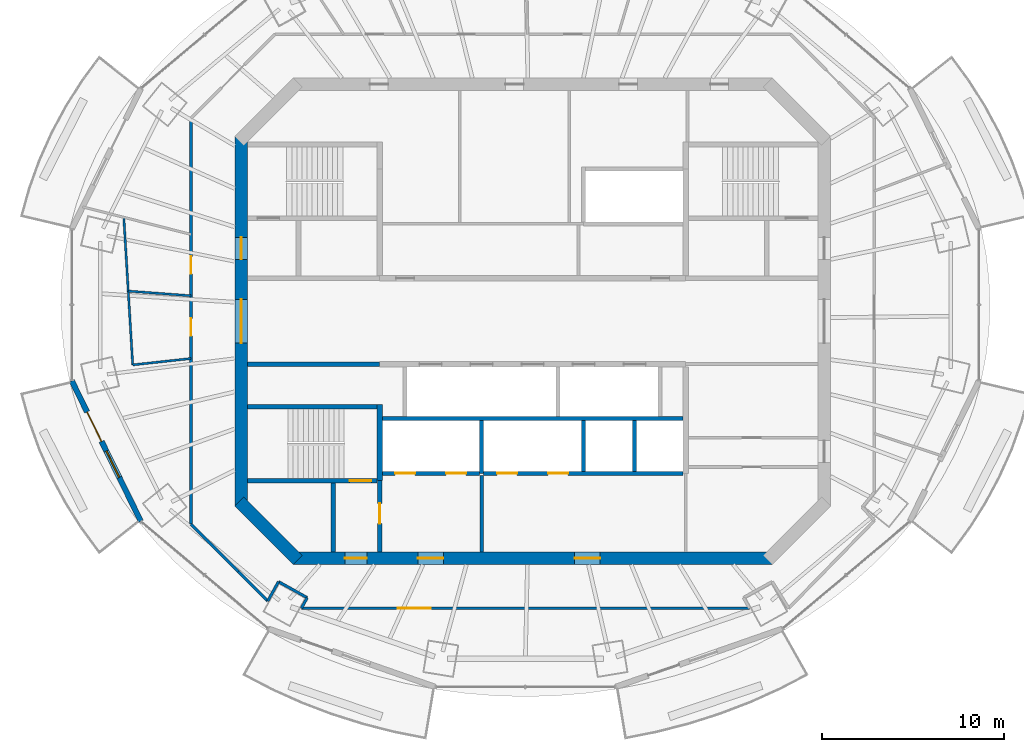
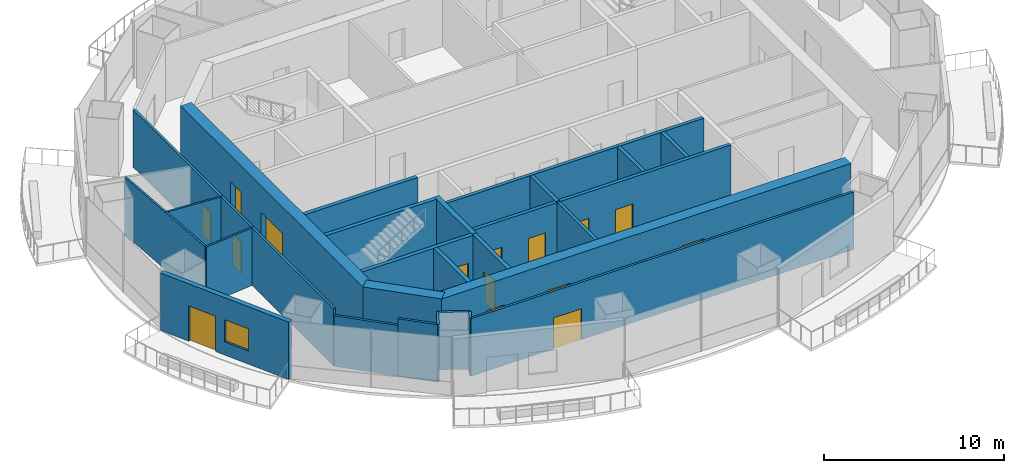
# One storey, part 8 of 14: 27 walls, 15 doors, 1 window, 16 openings.
"""IFC4 building model written with IfcOpenShell, lengths in metres."""

from ifc_helpers import new_model, si_unit, direction, frame, frame_2d, origin, place, context, subcontext, project, spatial, rectangle, extrude, material, layer, layer_set, type_object, element, fill, save


model = new_model("IFC4")

# Units and contexts
model_context = context("Model", 3, precision=1e-05, world=origin(), true_north=direction((0.0, 1.0)))
body_context = subcontext(model_context, "Body", "Model", "MODEL_VIEW")
ifc_project = project(units=[si_unit("LENGTHUNIT", "METRE"), si_unit("AREAUNIT", "SQUARE_METRE"), si_unit("VOLUMEUNIT", "CUBIC_METRE"), si_unit("PLANEANGLEUNIT", "RADIAN"), si_unit("MASSUNIT", "GRAM", prefix="KILO")], contexts=[model_context])

# Site, building, storey
site_placement = place(None, origin())
site = spatial("IfcSite", under=ifc_project, at=site_placement, CompositionType="ELEMENT")
building_placement = place(site_placement, origin())
building = spatial("IfcBuilding", under=site, at=building_placement, Name="Marenthal Gate Tower", CompositionType="ELEMENT")
storey_placement = place(building_placement, frame((0.0, 0.0, 392.39990234375)))
storey = spatial("IfcBuildingStorey", under=building, at=storey_placement, Name="L89", CompositionType="ELEMENT", Elevation=392.39990234375)

# Wall, openings, doors
ifc_material_1 = material(Name="Concrete 60 MPa", Category="concrete")
ifc_layer_1 = layer(ifc_material_1, 0.699951171875)
ifc_layer_set_1 = layer_set([ifc_layer_1], Name="Core shear wall 700")
wall_type_1 = type_object("IfcWallType", Name="Core shear wall 700", PredefinedType="SHEAR", material=ifc_layer_set_1)
wall_1_placement = place(storey_placement, frame((-16.0, 10.14501953125, -0.179931640625), z_axis=(0.0, 0.0, 1.0), x_axis=(0.0, -1.0, 0.0)))
wall_1 = element("IfcWall", 1, at=wall_1_placement, inside=storey, type_object=wall_type_1, Name="Core wall 06", PredefinedType="SHEAR", context=body_context, shape_type="SweptSolid", body=[
    extrude(rectangle(XDim=20.2900390625, YDim=0.699951171875, at=frame_2d((10.14501953125, 0.0))), origin(), (0.0, 0.0, 1.0), 4.080078125),
])
opening_1_placement = place(wall_1_placement, frame((8.945068359375, 0.0, 0.179931640625)))
opening_1 = element("IfcOpeningElement", 2, at=opening_1_placement, cuts=wall_1, Name="Opening D003.01", PredefinedType="OPENING", context=body_context, shape_type="SweptSolid", body=[
    extrude(rectangle(XDim=2.39990234375, YDim=2.10009765625, at=frame_2d((1.199951171875, 1.050048828125))), frame((0.0, 0.35986328125, 0.0), z_axis=(0.0, -1.0, 0.0), x_axis=(1.0, 0.0, 0.0)), (0.0, 0.0, 1.0), 0.719970703125),
])
opening_2_placement = place(wall_1_placement, frame((5.544921875, 0.0, 0.179931640625)))
opening_2 = element("IfcOpeningElement", 3, at=opening_2_placement, cuts=wall_1, Name="Opening D001.04", PredefinedType="OPENING", context=body_context, shape_type="SweptSolid", body=[
    extrude(rectangle(XDim=1.199951171875, YDim=2.10009765625, at=frame_2d((0.60009765625, 1.050048828125))), frame((0.0, 0.35986328125, 0.0), z_axis=(0.0, -1.0, 0.0), x_axis=(1.0, 0.0, 0.0)), (0.0, 0.0, 1.0), 0.719970703125),
])
ifc_material_2 = material(Name="Steel fire door", Category="steel")
door_type_1 = type_object("IfcDoorType", Name="Double fire door FD 45 2400 x 2100", OperationType="DOUBLE_DOOR_SINGLE_SWING", PredefinedType="DOOR", material=ifc_material_2)
door_1_placement = place(opening_1_placement, origin())
door_1 = element("IfcDoor", 4, at=door_1_placement, inside=storey, type_object=door_type_1, Name="Door D003.01", OperationType="DOUBLE_DOOR_SINGLE_SWING", OverallHeight=2.10009765625, OverallWidth=2.39990234375, PredefinedType="DOOR", context=body_context, shape_type="SweptSolid", body=[
    extrude(rectangle(XDim=2.39990234375, YDim=2.10009765625, at=frame_2d((1.199951171875, 1.050048828125))), frame((0.0, 0.02490234375, 0.0), z_axis=(0.0, -1.0, 0.0), x_axis=(1.0, 0.0, 0.0)), (0.0, 0.0, 1.0), 0.050048828125),
])
fill(opening_1, door_1)
ifc_material_3 = material(Name="Steel fire door", Category="steel")
door_type_2 = type_object("IfcDoorType", Name="Fire door FD 90 1200 x 2100", OperationType="NOTDEFINED", PredefinedType="DOOR", material=ifc_material_3)
door_2_placement = place(opening_2_placement, origin())
door_2 = element("IfcDoor", 5, at=door_2_placement, inside=storey, type_object=door_type_2, Name="Door D001.04", OperationType="SINGLE_SWING_RIGHT", OverallHeight=2.10009765625, OverallWidth=1.199951171875, PredefinedType="DOOR", context=body_context, shape_type="SweptSolid", body=[
    extrude(rectangle(XDim=1.199951171875, YDim=2.10009765625, at=frame_2d((0.60009765625, 1.050048828125))), frame((0.0, 0.02490234375, 0.0), z_axis=(0.0, -1.0, 0.0), x_axis=(1.0, 0.0, 0.0)), (0.0, 0.0, 1.0), 0.050048828125),
])
fill(opening_2, door_2)

# Wall
wall_2_placement = place(storey_placement, frame((-16.1025390625, -9.8974609375, -0.179931640625), z_axis=(0.0, 0.0, 1.0), x_axis=(0.707106781187, -0.707106781187, 0.0)))
element("IfcWall", 6, at=wall_2_placement, inside=storey, type_object=wall_type_1, Name="Core wall 07", PredefinedType="SHEAR", context=body_context, shape_type="SweptSolid", body=[
    extrude(rectangle(XDim=4.53271484375, YDim=0.699951171875, at=frame_2d((2.266357421875, 0.0))), origin(), (0.0, 0.0, 1.0), 4.080078125),
])

# Wall, openings, doors
wall_3_placement = place(storey_placement, frame((-13.14501953125, -13.0, -0.179931640625), z_axis=(0.0, 0.0, 1.0), x_axis=(1.0, 0.0, 0.0)))
wall_3 = element("IfcWall", 7, at=wall_3_placement, inside=storey, type_object=wall_type_1, Name="Core wall 08", PredefinedType="SHEAR", context=body_context, shape_type="SweptSolid", body=[
    extrude(rectangle(XDim=26.2900390625, YDim=0.699951171875, at=frame_2d((13.14501953125, 0.0))), origin(), (0.0, 0.0, 1.0), 4.080078125),
])
opening_3_placement = place(wall_3_placement, frame((2.844970703125, 0.0, 0.179931640625)))
opening_3 = element("IfcOpeningElement", 8, at=opening_3_placement, cuts=wall_3, Name="Opening D001.06", PredefinedType="OPENING", context=body_context, shape_type="SweptSolid", body=[
    extrude(rectangle(XDim=1.199951171875, YDim=2.10009765625, at=frame_2d((0.60009765625, 1.050048828125))), frame((0.0, 0.35986328125, 0.0), z_axis=(0.0, -1.0, 0.0), x_axis=(1.0, 0.0, 0.0)), (0.0, 0.0, 1.0), 0.719970703125),
])
opening_4_placement = place(wall_3_placement, frame((6.844970703125, 0.0, 0.179931640625)))
opening_4 = element("IfcOpeningElement", 9, at=opening_4_placement, cuts=wall_3, Name="Opening D004.01", PredefinedType="OPENING", context=body_context, shape_type="SweptSolid", body=[
    extrude(rectangle(XDim=1.39990234375, YDim=2.10009765625, at=frame_2d((0.699951171875, 1.050048828125))), frame((0.0, 0.35986328125, 0.0), z_axis=(0.0, -1.0, 0.0), x_axis=(1.0, 0.0, 0.0)), (0.0, 0.0, 1.0), 0.719970703125),
])
opening_5_placement = place(wall_3_placement, frame((15.445068359375, 0.0, 0.179931640625)))
opening_5 = element("IfcOpeningElement", 10, at=opening_5_placement, cuts=wall_3, Name="Opening D004.02", PredefinedType="OPENING", context=body_context, shape_type="SweptSolid", body=[
    extrude(rectangle(XDim=1.39990234375, YDim=2.10009765625, at=frame_2d((0.699951171875, 1.050048828125))), frame((0.0, 0.35986328125, 0.0), z_axis=(0.0, -1.0, 0.0), x_axis=(1.0, 0.0, 0.0)), (0.0, 0.0, 1.0), 0.719970703125),
])
ifc_material_4 = material(Name="Steel fire door", Category="steel")
door_type_3 = type_object("IfcDoorType", Name="Fire door FD 45 1400 x 2100", OperationType="NOTDEFINED", PredefinedType="DOOR", material=ifc_material_4)
door_3_placement = place(opening_4_placement, origin())
door_3 = element("IfcDoor", 11, at=door_3_placement, inside=storey, type_object=door_type_3, Name="Door D004.01", OperationType="SINGLE_SWING_RIGHT", OverallHeight=2.10009765625, OverallWidth=1.39990234375, PredefinedType="DOOR", context=body_context, shape_type="SweptSolid", body=[
    extrude(rectangle(XDim=1.39990234375, YDim=2.10009765625, at=frame_2d((0.699951171875, 1.050048828125))), frame((0.0, 0.02490234375, 0.0), z_axis=(0.0, -1.0, 0.0), x_axis=(1.0, 0.0, 0.0)), (0.0, 0.0, 1.0), 0.050048828125),
])
fill(opening_4, door_3)
door_4_placement = place(opening_5_placement, origin())
door_4 = element("IfcDoor", 12, at=door_4_placement, inside=storey, type_object=door_type_3, Name="Door D004.02", OperationType="SINGLE_SWING_RIGHT", OverallHeight=2.10009765625, OverallWidth=1.39990234375, PredefinedType="DOOR", context=body_context, shape_type="SweptSolid", body=[
    extrude(rectangle(XDim=1.39990234375, YDim=2.10009765625, at=frame_2d((0.699951171875, 1.050048828125))), frame((0.0, 0.02490234375, 0.0), z_axis=(0.0, -1.0, 0.0), x_axis=(1.0, 0.0, 0.0)), (0.0, 0.0, 1.0), 0.050048828125),
])
fill(opening_5, door_4)
door_5_placement = place(opening_3_placement, origin())
door_5 = element("IfcDoor", 13, at=door_5_placement, inside=storey, type_object=door_type_2, Name="Door D001.06", OperationType="SINGLE_SWING_RIGHT", OverallHeight=2.10009765625, OverallWidth=1.199951171875, PredefinedType="DOOR", context=body_context, shape_type="SweptSolid", body=[
    extrude(rectangle(XDim=1.199951171875, YDim=2.10009765625, at=frame_2d((0.60009765625, 1.050048828125))), frame((0.0, 0.02490234375, 0.0), z_axis=(0.0, -1.0, 0.0), x_axis=(1.0, 0.0, 0.0)), (0.0, 0.0, 1.0), 0.050048828125),
])
fill(opening_3, door_5)

# Walls
ifc_material_5 = material(Name="Gypsum board on steel studs", Category="steel")
ifc_layer_2 = layer(ifc_material_5, 0.199951171875)
ifc_layer_set_2 = layer_set([ifc_layer_2], Name="Fire lobby wall 200")
wall_type_2 = type_object("IfcWallType", Name="Fire lobby wall 200", PredefinedType="PARTITIONING", material=ifc_layer_set_2)
wall_4_placement = place(storey_placement, frame((-2.800048828125, -12.64990234375, 0.0), z_axis=(0.0, 0.0, 1.0), x_axis=(0.0, 1.0, 0.0)))
element("IfcWall", 14, at=wall_4_placement, inside=storey, type_object=wall_type_2, Name="Fire wall 37", PredefinedType="PARTITIONING", context=body_context, shape_type="SweptSolid", body=[
    extrude(rectangle(XDim=4.18994140625, YDim=0.199951171875, at=frame_2d((2.094970703125, 0.0))), origin(), (0.0, 0.0, 1.0), 3.900146484375),
])
ifc_material_6 = material(Name="Concrete 50 MPa", Category="concrete")
ifc_layer_3 = layer(ifc_material_6, 0.300048828125)
ifc_layer_set_3 = layer_set([ifc_layer_3], Name="Hoistway shear wall 300")
wall_type_3 = type_object("IfcWallType", Name="Hoistway shear wall 300", PredefinedType="SHEAR", material=ifc_layer_set_3)
wall_5_placement = place(storey_placement, frame((-8.39990234375, -8.75, -0.179931640625), z_axis=(0.0, 0.0, 1.0), x_axis=(0.0, 1.0, 0.0)))
element("IfcWall", 15, at=wall_5_placement, inside=storey, type_object=wall_type_3, Name="Hoistway wall 32", PredefinedType="SHEAR", context=body_context, shape_type="SweptSolid", body=[
    extrude(rectangle(XDim=4.175048828125, YDim=0.300048828125, at=frame_2d((2.08740234375, 0.0))), origin(), (0.0, 0.0, 1.0), 4.080078125),
])

# Wall, openings, doors
ifc_material_7 = material(Name="Concrete 40 MPa", Category="concrete")
ifc_layer_4 = layer(ifc_material_7, 0.219970703125)
ifc_layer_set_4 = layer_set([ifc_layer_4], Name="Hoistway wall 220")
wall_type_4 = type_object("IfcWallType", Name="Hoistway wall 220", PredefinedType="STANDARD", material=ifc_layer_set_4)
wall_6_placement = place(storey_placement, frame((-8.25, -8.35009765625, 0.0), z_axis=(0.0, 0.0, 1.0), x_axis=(1.0, 0.0, 0.0)))
wall_6 = element("IfcWall", 16, at=wall_6_placement, inside=storey, type_object=wall_type_4, Name="Hoistway wall 10", PredefinedType="STANDARD", context=body_context, shape_type="SweptSolid", body=[
    extrude(rectangle(XDim=5.340087890625, YDim=0.219970703125, at=frame_2d((2.669921875, 0.0))), origin(), (0.0, 0.0, 1.0), 3.900146484375),
])
opening_6_placement = place(wall_6_placement, frame((0.699951171875, 0.0, 0.0)))
opening_6 = element("IfcOpeningElement", 17, at=opening_6_placement, cuts=wall_6, Name="Opening LD-LF1", PredefinedType="OPENING", context=body_context, shape_type="SweptSolid", body=[
    extrude(rectangle(XDim=1.10009765625, YDim=2.10009765625, at=frame_2d((0.550048828125, 1.050048828125))), frame((0.0, 0.1201171875, 0.0), z_axis=(0.0, -1.0, 0.0), x_axis=(1.0, 0.0, 0.0)), (0.0, 0.0, 1.0), 0.239990234375),
])
opening_7_placement = place(wall_6_placement, frame((3.5, 0.0, 0.0)))
opening_7 = element("IfcOpeningElement", 18, at=opening_7_placement, cuts=wall_6, Name="Opening LD-LF2", PredefinedType="OPENING", context=body_context, shape_type="SweptSolid", body=[
    extrude(rectangle(XDim=1.10009765625, YDim=2.10009765625, at=frame_2d((0.550048828125, 1.050048828125))), frame((0.0, 0.1201171875, 0.0), z_axis=(0.0, -1.0, 0.0), x_axis=(1.0, 0.0, 0.0)), (0.0, 0.0, 1.0), 0.239990234375),
])
ifc_material_8 = material(Name="Stainless steel sliding door", Category="steel")
door_type_4 = type_object("IfcDoorType", Name="Lift landing door FD 90 1100 x 2100", OperationType="DOUBLE_DOOR_SLIDING", PredefinedType="DOOR", material=ifc_material_8)
door_6_placement = place(opening_6_placement, origin())
door_6 = element("IfcDoor", 19, at=door_6_placement, inside=storey, type_object=door_type_4, Name="Lift landing door LF1", OperationType="DOUBLE_DOOR_SLIDING", OverallHeight=2.10009765625, OverallWidth=1.10009765625, PredefinedType="DOOR", context=body_context, shape_type="SweptSolid", body=[
    extrude(rectangle(XDim=1.10009765625, YDim=2.10009765625, at=frame_2d((0.550048828125, 1.050048828125))), frame((0.0, 0.02490234375, 0.0), z_axis=(0.0, -1.0, 0.0), x_axis=(1.0, 0.0, 0.0)), (0.0, 0.0, 1.0), 0.050048828125),
])
fill(opening_6, door_6)
door_7_placement = place(opening_7_placement, origin())
door_7 = element("IfcDoor", 20, at=door_7_placement, inside=storey, type_object=door_type_4, Name="Lift landing door LF2", OperationType="DOUBLE_DOOR_SLIDING", OverallHeight=2.10009765625, OverallWidth=1.10009765625, PredefinedType="DOOR", context=body_context, shape_type="SweptSolid", body=[
    extrude(rectangle(XDim=1.10009765625, YDim=2.10009765625, at=frame_2d((0.550048828125, 1.050048828125))), frame((0.0, 0.02490234375, 0.0), z_axis=(0.0, -1.0, 0.0), x_axis=(1.0, 0.0, 0.0)), (0.0, 0.0, 1.0), 0.050048828125),
])
fill(opening_7, door_7)

wall_7_placement = place(storey_placement, frame((-2.68994140625, -8.35009765625, 0.0), z_axis=(0.0, 0.0, 1.0), x_axis=(1.0, 0.0, 0.0)))
wall_7 = element("IfcWall", 21, at=wall_7_placement, inside=storey, type_object=wall_type_4, Name="Hoistway wall 11", PredefinedType="STANDARD", context=body_context, shape_type="SweptSolid", body=[
    extrude(rectangle(XDim=10.93994140625, YDim=0.219970703125, at=frame_2d((5.469970703125, 0.0))), origin(), (0.0, 0.0, 1.0), 3.900146484375),
])
opening_8_placement = place(wall_7_placement, frame((0.739990234375, 0.0, 0.0)))
opening_8 = element("IfcOpeningElement", 22, at=opening_8_placement, cuts=wall_7, Name="Opening LD-SV1", PredefinedType="OPENING", context=body_context, shape_type="SweptSolid", body=[
    extrude(rectangle(XDim=1.10009765625, YDim=2.10009765625, at=frame_2d((0.550048828125, 1.050048828125))), frame((0.0, 0.1201171875, 0.0), z_axis=(0.0, -1.0, 0.0), x_axis=(1.0, 0.0, 0.0)), (0.0, 0.0, 1.0), 0.239990234375),
])
opening_9_placement = place(wall_7_placement, frame((3.5400390625, 0.0, 0.0)))
opening_9 = element("IfcOpeningElement", 23, at=opening_9_placement, cuts=wall_7, Name="Opening LD-SV2", PredefinedType="OPENING", context=body_context, shape_type="SweptSolid", body=[
    extrude(rectangle(XDim=1.10009765625, YDim=2.10009765625, at=frame_2d((0.550048828125, 1.050048828125))), frame((0.0, 0.1201171875, 0.0), z_axis=(0.0, -1.0, 0.0), x_axis=(1.0, 0.0, 0.0)), (0.0, 0.0, 1.0), 0.239990234375),
])
door_8_placement = place(opening_8_placement, origin())
door_8 = element("IfcDoor", 24, at=door_8_placement, inside=storey, type_object=door_type_4, Name="Lift landing door SV1", OperationType="DOUBLE_DOOR_SLIDING", OverallHeight=2.10009765625, OverallWidth=1.10009765625, PredefinedType="DOOR", context=body_context, shape_type="SweptSolid", body=[
    extrude(rectangle(XDim=1.10009765625, YDim=2.10009765625, at=frame_2d((0.550048828125, 1.050048828125))), frame((0.0, 0.02490234375, 0.0), z_axis=(0.0, -1.0, 0.0), x_axis=(1.0, 0.0, 0.0)), (0.0, 0.0, 1.0), 0.050048828125),
])
fill(opening_8, door_8)
door_9_placement = place(opening_9_placement, origin())
door_9 = element("IfcDoor", 25, at=door_9_placement, inside=storey, type_object=door_type_4, Name="Lift landing door SV2", OperationType="DOUBLE_DOOR_SLIDING", OverallHeight=2.10009765625, OverallWidth=1.10009765625, PredefinedType="DOOR", context=body_context, shape_type="SweptSolid", body=[
    extrude(rectangle(XDim=1.10009765625, YDim=2.10009765625, at=frame_2d((0.550048828125, 1.050048828125))), frame((0.0, 0.02490234375, 0.0), z_axis=(0.0, -1.0, 0.0), x_axis=(1.0, 0.0, 0.0)), (0.0, 0.0, 1.0), 0.050048828125),
])
fill(opening_9, door_9)

# Walls
wall_8_placement = place(storey_placement, frame((-8.25, -5.35009765625, 0.0), z_axis=(0.0, 0.0, 1.0), x_axis=(1.0, 0.0, 0.0)))
element("IfcWall", 26, at=wall_8_placement, inside=storey, type_object=wall_type_4, Name="Hoistway wall 14", PredefinedType="STANDARD", context=body_context, shape_type="SweptSolid", body=[
    extrude(rectangle(XDim=16.5, YDim=0.219970703125, at=frame_2d((8.25, 0.0))), origin(), (0.0, 0.0, 1.0), 3.900146484375),
])
wall_9_placement = place(storey_placement, frame((-2.800048828125, -8.35009765625, 0.0), z_axis=(0.0, 0.0, 1.0), x_axis=(0.0, 1.0, 0.0)))
element("IfcWall", 27, at=wall_9_placement, inside=storey, type_object=wall_type_4, Name="Hoistway wall 38", PredefinedType="STANDARD", context=body_context, shape_type="SweptSolid", body=[
    extrude(rectangle(XDim=2.89013671875, YDim=0.219970703125, at=frame_2d((1.445068359375, 0.0))), origin(), (0.0, 0.0, 1.0), 3.900146484375),
])
for number, where, z_axis, x_axis, name in (
    (28, (2.800048828125, -8.239990234375, 0.0), (0.0, 0.0, 1.0), (0.0, 1.0, 0.0), "Hoistway wall 42"),
    (29, (5.60009765625, -8.239990234375, 0.0), (0.0, 0.0, 1.0), (0.0, 1.0, 0.0), "Hoistway wall 44"),
):
    element("IfcWall", number, at=place(storey_placement, frame(where, z_axis=z_axis, x_axis=x_axis)), inside=storey, type_object=wall_type_4, Name=name, PredefinedType="STANDARD", context=body_context, shape_type="SweptSolid", body=[
        extrude(rectangle(XDim=2.780029296875, YDim=0.219970703125, at=frame_2d((1.39013671875, 0.0))), origin(), (0.0, 0.0, 1.0), 3.900146484375),
    ])
ifc_material_9 = material(Name="Gypsum board on steel studs", Category="steel")
ifc_layer_5 = layer(ifc_material_9, 0.1201171875)
ifc_layer_set_5 = layer_set([ifc_layer_5], Name="Partition 120")
wall_type_5 = type_object("IfcWallType", Name="Partition 120", PredefinedType="PARTITIONING", material=ifc_layer_set_5)
wall_10_placement = place(storey_placement, frame((-22.4384765625, 5.70263671875, 0.0), z_axis=(0.0, 0.0, 1.0), x_axis=(0.060251539716, -0.998183225646, 0.0)))
element("IfcWall", 30, at=wall_10_placement, inside=storey, type_object=wall_type_5, Name="Partition wall 52", PredefinedType="PARTITIONING", context=body_context, shape_type="SweptSolid", body=[
    extrude(rectangle(XDim=8.112060546875, YDim=0.1201171875, at=frame_2d((4.05615234375, 0.0))), origin(), (0.0, 0.0, 1.0), 3.900146484375),
])
wall_11_placement = place(storey_placement, frame((-22.194091796875, 1.654052734375, 0.0), z_axis=(0.0, 0.0, 1.0), x_axis=(0.997230984546, -0.074366413535, 0.0)))
element("IfcWall", 31, at=wall_11_placement, inside=storey, type_object=wall_type_5, Name="Partition wall 53", PredefinedType="PARTITIONING", context=body_context, shape_type="SweptSolid", body=[
    extrude(rectangle(XDim=3.45361328125, YDim=0.1201171875, at=frame_2d((1.726806640625, 0.0))), origin(), (0.0, 0.0, 1.0), 3.900146484375),
])
wall_12_placement = place(storey_placement, frame((-21.94970703125, -2.394775390625, 0.0), z_axis=(0.0, 0.0, 1.0), x_axis=(0.994100094927, 0.10846659055, 0.0)))
element("IfcWall", 32, at=wall_12_placement, inside=storey, type_object=wall_type_5, Name="Partition wall 54", PredefinedType="PARTITIONING", context=body_context, shape_type="SweptSolid", body=[
    extrude(rectangle(XDim=3.21875, YDim=0.1201171875, at=frame_2d((1.609375, 0.0))), origin(), (0.0, 0.0, 1.0), 3.900146484375),
])

# Wall, openings, doors
ifc_material_10 = material(Name="Gypsum board on steel studs", Category="steel")
ifc_layer_6 = layer(ifc_material_10, 0.14990234375)
ifc_layer_set_6 = layer_set([ifc_layer_6], Name="Partition 150")
wall_type_6 = type_object("IfcWallType", Name="Partition 150", PredefinedType="PARTITIONING", material=ifc_layer_set_6)
wall_13_placement = place(storey_placement, frame((-18.75, -11.13916015625, 0.0), z_axis=(0.0, 0.0, 1.0), x_axis=(0.0, 1.0, 0.0)))
wall_13 = element("IfcWall", 33, at=wall_13_placement, inside=storey, type_object=wall_type_6, Name="Partition wall 55", PredefinedType="PARTITIONING", context=body_context, shape_type="SweptSolid", body=[
    extrude(rectangle(XDim=22.2783203125, YDim=0.14990234375, at=frame_2d((11.13916015625, 0.0))), origin(), (0.0, 0.0, 1.0), 3.900146484375),
])
opening_10_placement = place(wall_13_placement, frame((13.7451171875, 0.0, 0.0)))
opening_10 = element("IfcOpeningElement", 34, at=opening_10_placement, cuts=wall_13, Name="Opening D016.05", PredefinedType="OPENING", context=body_context, shape_type="SweptSolid", body=[
    extrude(rectangle(XDim=0.949951171875, YDim=2.10009765625, at=frame_2d((0.47509765625, 1.050048828125))), frame((0.0, 0.0849609375, 0.0), z_axis=(0.0, -1.0, 0.0), x_axis=(1.0, 0.0, 0.0)), (0.0, 0.0, 1.0), 0.169921875),
])
opening_11_placement = place(wall_13_placement, frame((10.340087890625, 0.0, 0.0)))
opening_11 = element("IfcOpeningElement", 35, at=opening_11_placement, cuts=wall_13, Name="Opening D016.06", PredefinedType="OPENING", context=body_context, shape_type="SweptSolid", body=[
    extrude(rectangle(XDim=0.949951171875, YDim=2.10009765625, at=frame_2d((0.47509765625, 1.050048828125))), frame((0.0, 0.0849609375, 0.0), z_axis=(0.0, -1.0, 0.0), x_axis=(1.0, 0.0, 0.0)), (0.0, 0.0, 1.0), 0.169921875),
])
ifc_material_11 = material(Name="Timber door", Category="wood")
door_type_5 = type_object("IfcDoorType", Name="Door 950 x 2100", OperationType="NOTDEFINED", PredefinedType="DOOR", material=ifc_material_11)
door_10_placement = place(opening_10_placement, origin())
door_10 = element("IfcDoor", 36, at=door_10_placement, inside=storey, type_object=door_type_5, Name="Door D016.05", OperationType="SINGLE_SWING_RIGHT", OverallHeight=2.10009765625, OverallWidth=0.949951171875, PredefinedType="DOOR", context=body_context, shape_type="SweptSolid", body=[
    extrude(rectangle(XDim=0.949951171875, YDim=2.10009765625, at=frame_2d((0.47509765625, 1.050048828125))), frame((0.0, 0.02490234375, 0.0), z_axis=(0.0, -1.0, 0.0), x_axis=(1.0, 0.0, 0.0)), (0.0, 0.0, 1.0), 0.050048828125),
])
fill(opening_10, door_10)
door_11_placement = place(opening_11_placement, origin())
door_11 = element("IfcDoor", 37, at=door_11_placement, inside=storey, type_object=door_type_5, Name="Door D016.06", OperationType="SINGLE_SWING_RIGHT", OverallHeight=2.10009765625, OverallWidth=0.949951171875, PredefinedType="DOOR", context=body_context, shape_type="SweptSolid", body=[
    extrude(rectangle(XDim=0.949951171875, YDim=2.10009765625, at=frame_2d((0.47509765625, 1.050048828125))), frame((0.0, 0.02490234375, 0.0), z_axis=(0.0, -1.0, 0.0), x_axis=(1.0, 0.0, 0.0)), (0.0, 0.0, 1.0), 0.050048828125),
])
fill(opening_11, door_11)

# Walls
wall_14_placement = place(storey_placement, frame((-14.53564453125, -15.353515625, 0.0), z_axis=(0.0, 0.0, 1.0), x_axis=(-0.707053311734, 0.707160246596, 0.0)))
element("IfcWall", 38, at=wall_14_placement, inside=storey, type_object=wall_type_6, Name="Partition wall 58", PredefinedType="PARTITIONING", context=body_context, shape_type="SweptSolid", body=[
    extrude(rectangle(XDim=2.282958984375, YDim=0.14990234375, at=frame_2d((1.1416015625, 0.0))), origin(), (0.0, 0.0, 1.0), 3.900146484375),
])
wall_15_placement = place(storey_placement, frame((-16.14990234375, -13.739013671875, 0.0), z_axis=(0.0, 0.0, 1.0), x_axis=(-0.707139979467, 0.707073581347, 0.0)))
element("IfcWall", 39, at=wall_15_placement, inside=storey, type_object=wall_type_6, Name="Partition wall 78", PredefinedType="PARTITIONING", context=body_context, shape_type="SweptSolid", body=[
    extrude(rectangle(XDim=3.677001953125, YDim=0.14990234375, at=frame_2d((1.83837890625, 0.0))), origin(), (0.0, 0.0, 1.0), 3.43798828125),
])
wall_16_placement = place(storey_placement, frame((-13.94775390625, -14.29541015625, 0.0), z_axis=(0.0, 0.0, 1.0), x_axis=(-0.485677180591, -0.874138247792, 0.0)))
element("IfcWall", 40, at=wall_16_placement, inside=storey, type_object=wall_type_6, Name="Partition wall 60", PredefinedType="PARTITIONING", context=body_context, shape_type="SweptSolid", body=[
    extrude(rectangle(XDim=1.21044921875, YDim=0.14990234375, at=frame_2d((0.605224609375, 0.0))), origin(), (0.0, 0.0, 1.0), 3.900146484375),
])
wall_17_placement = place(storey_placement, frame((-12.69677734375, -15.75, 0.0), z_axis=(0.0, 0.0, 1.0), x_axis=(0.485642931179, 0.874157276122, 0.0)))
element("IfcWall", 41, at=wall_17_placement, inside=storey, type_object=wall_type_6, Name="Partition wall 61", PredefinedType="PARTITIONING", context=body_context, shape_type="SweptSolid", body=[
    extrude(rectangle(XDim=0.66357421875, YDim=0.14990234375, at=frame_2d((0.331787109375, 0.0))), origin(), (0.0, 0.0, 1.0), 3.900146484375),
])
wall_18_placement = place(storey_placement, frame((-12.37451171875, -15.169921875, 0.0), z_axis=(0.0, 0.0, 1.0), x_axis=(-0.874042088414, 0.485850211157, 0.0)))
element("IfcWall", 42, at=wall_18_placement, inside=storey, type_object=wall_type_6, Name="Partition wall 62", PredefinedType="PARTITIONING", context=body_context, shape_type="SweptSolid", body=[
    extrude(rectangle(XDim=1.800048828125, YDim=0.14990234375, at=frame_2d((0.89990234375, 0.0))), origin(), (0.0, 0.0, 1.0), 3.900146484375),
])

# Wall, opening, door
wall_19_placement = place(storey_placement, frame((11.896728515625, -15.75, 0.0), z_axis=(0.0, 0.0, 1.0), x_axis=(-1.0, 0.0, 0.0)))
wall_19 = element("IfcWall", 43, at=wall_19_placement, inside=storey, type_object=wall_type_6, Name="Partition wall 68", PredefinedType="PARTITIONING", context=body_context, shape_type="SweptSolid", body=[
    extrude(rectangle(XDim=24.593505859375, YDim=0.14990234375, at=frame_2d((12.296875, 0.0))), origin(), (0.0, 0.0, 1.0), 3.900146484375),
])
opening_12_placement = place(wall_19_placement, frame((17.501953125, 0.0, 0.0)))
opening_12 = element("IfcOpeningElement", 44, at=opening_12_placement, cuts=wall_19, Name="Opening D014.02", PredefinedType="OPENING", context=body_context, shape_type="SweptSolid", body=[
    extrude(rectangle(XDim=1.800048828125, YDim=2.10009765625, at=frame_2d((0.89990234375, 1.050048828125))), frame((0.0, 0.0849609375, 0.0), z_axis=(0.0, -1.0, 0.0), x_axis=(1.0, 0.0, 0.0)), (0.0, 0.0, 1.0), 0.169921875),
])
ifc_material_12 = material(Name="Timber door", Category="wood")
door_type_6 = type_object("IfcDoorType", Name="Double door 1800 x 2100", OperationType="DOUBLE_DOOR_SINGLE_SWING", PredefinedType="DOOR", material=ifc_material_12)
door_12_placement = place(opening_12_placement, origin())
door_12 = element("IfcDoor", 45, at=door_12_placement, inside=storey, type_object=door_type_6, Name="Door D014.02", OperationType="DOUBLE_DOOR_SINGLE_SWING", OverallHeight=2.10009765625, OverallWidth=1.800048828125, PredefinedType="DOOR", context=body_context, shape_type="SweptSolid", body=[
    extrude(rectangle(XDim=1.800048828125, YDim=2.10009765625, at=frame_2d((0.89990234375, 1.050048828125))), frame((0.0, 0.02490234375, 0.0), z_axis=(0.0, -1.0, 0.0), x_axis=(1.0, 0.0, 0.0)), (0.0, 0.0, 1.0), 0.050048828125),
])
fill(opening_12, door_12)

# Walls
ifc_material_13 = material(Name="Concrete 40 MPa", Category="concrete")
ifc_layer_7 = layer(ifc_material_13, 0.25)
ifc_layer_set_7 = layer_set([ifc_layer_7], Name="Stair enclosure wall 250")
wall_type_7 = type_object("IfcWallType", Name="Stair enclosure wall 250", PredefinedType="STANDARD", material=ifc_layer_set_7)
wall_20_placement = place(storey_placement, frame((-15.64990234375, -2.35009765625, 0.0), z_axis=(0.0, 0.0, 1.0), x_axis=(1.0, 0.0, 0.0)))
element("IfcWall", 46, at=wall_20_placement, inside=storey, type_object=wall_type_7, Name="Stair wall 16", PredefinedType="STANDARD", context=body_context, shape_type="SweptSolid", body=[
    extrude(rectangle(XDim=7.25, YDim=0.25, at=frame_2d((3.625, 0.0))), origin(), (0.0, 0.0, 1.0), 3.900146484375),
])
wall_21_placement = place(storey_placement, frame((-10.949951171875, -12.64990234375, 0.0), z_axis=(0.0, 0.0, 1.0), x_axis=(0.0, 1.0, 0.0)))
element("IfcWall", 47, at=wall_21_placement, inside=storey, type_object=wall_type_7, Name="Stair wall 30", PredefinedType="STANDARD", context=body_context, shape_type="SweptSolid", body=[
    extrude(rectangle(XDim=3.77490234375, YDim=0.25, at=frame_2d((1.887451171875, 0.0))), origin(), (0.0, 0.0, 1.0), 3.900146484375),
])

# Wall, opening, door
wall_22_placement = place(storey_placement, frame((-8.39990234375, -12.64990234375, 0.0), z_axis=(0.0, 0.0, 1.0), x_axis=(0.0, 1.0, 0.0)))
wall_22 = element("IfcWall", 48, at=wall_22_placement, inside=storey, type_object=wall_type_7, Name="Stair wall 31", PredefinedType="STANDARD", context=body_context, shape_type="SweptSolid", body=[
    extrude(rectangle(XDim=3.89990234375, YDim=0.25, at=frame_2d((1.949951171875, 0.0))), origin(), (0.0, 0.0, 1.0), 3.900146484375),
])
opening_13_placement = place(wall_22_placement, frame((1.550048828125, 0.0, 0.0)))
opening_13 = element("IfcOpeningElement", 49, at=opening_13_placement, cuts=wall_22, Name="Opening D002.01", PredefinedType="OPENING", context=body_context, shape_type="SweptSolid", body=[
    extrude(rectangle(XDim=1.10009765625, YDim=2.10009765625, at=frame_2d((0.550048828125, 1.050048828125))), frame((0.0, 0.135009765625, 0.0), z_axis=(0.0, -1.0, 0.0), x_axis=(1.0, 0.0, 0.0)), (0.0, 0.0, 1.0), 0.27001953125),
])
ifc_material_14 = material(Name="Steel fire door", Category="steel")
door_type_7 = type_object("IfcDoorType", Name="Fire door FD 90 1100 x 2100", OperationType="NOTDEFINED", PredefinedType="DOOR", material=ifc_material_14)
door_13_placement = place(opening_13_placement, origin())
door_13 = element("IfcDoor", 50, at=door_13_placement, inside=storey, type_object=door_type_7, Name="Door D002.01", OperationType="SINGLE_SWING_RIGHT", OverallHeight=2.10009765625, OverallWidth=1.10009765625, PredefinedType="DOOR", context=body_context, shape_type="SweptSolid", body=[
    extrude(rectangle(XDim=1.10009765625, YDim=2.10009765625, at=frame_2d((0.550048828125, 1.050048828125))), frame((0.0, 0.02490234375, 0.0), z_axis=(0.0, -1.0, 0.0), x_axis=(1.0, 0.0, 0.0)), (0.0, 0.0, 1.0), 0.050048828125),
])
fill(opening_13, door_13)

ifc_material_15 = material(Name="Concrete 50 MPa", Category="concrete")
ifc_layer_8 = layer(ifc_material_15, 0.25)
ifc_layer_set_8 = layer_set([ifc_layer_8], Name="Stair shear wall 250")
wall_type_8 = type_object("IfcWallType", Name="Stair shear wall 250", PredefinedType="SHEAR", material=ifc_layer_set_8)
wall_23_placement = place(storey_placement, frame((-15.64990234375, -8.75, -0.179931640625), z_axis=(0.0, 0.0, 1.0), x_axis=(1.0, 0.0, 0.0)))
wall_23 = element("IfcWall", 51, at=wall_23_placement, inside=storey, type_object=wall_type_8, Name="Stair wall 09", PredefinedType="SHEAR", context=body_context, shape_type="SweptSolid", body=[
    extrude(rectangle(XDim=7.099853515625, YDim=0.25, at=frame_2d((3.5498046875, 0.0))), origin(), (0.0, 0.0, 1.0), 4.080078125),
])
opening_14_placement = place(wall_23_placement, frame((5.60009765625, 0.0, 0.179931640625)))
opening_14 = element("IfcOpeningElement", 52, at=opening_14_placement, cuts=wall_23, Name="Opening D001.03", PredefinedType="OPENING", context=body_context, shape_type="SweptSolid", body=[
    extrude(rectangle(XDim=1.199951171875, YDim=2.10009765625, at=frame_2d((0.60009765625, 1.050048828125))), frame((0.0, 0.135009765625, 0.0), z_axis=(0.0, -1.0, 0.0), x_axis=(1.0, 0.0, 0.0)), (0.0, 0.0, 1.0), 0.27001953125),
])
door_14_placement = place(opening_14_placement, origin())
door_14 = element("IfcDoor", 53, at=door_14_placement, inside=storey, type_object=door_type_2, Name="Door D001.03", OperationType="SINGLE_SWING_RIGHT", OverallHeight=2.10009765625, OverallWidth=1.199951171875, PredefinedType="DOOR", context=body_context, shape_type="SweptSolid", body=[
    extrude(rectangle(XDim=1.199951171875, YDim=2.10009765625, at=frame_2d((0.60009765625, 1.050048828125))), frame((0.0, 0.02490234375, 0.0), z_axis=(0.0, -1.0, 0.0), x_axis=(1.0, 0.0, 0.0)), (0.0, 0.0, 1.0), 0.050048828125),
])
fill(opening_14, door_14)

# Wall
wall_24_placement = place(storey_placement, frame((-15.64990234375, -4.699951171875, -0.179931640625), z_axis=(0.0, 0.0, 1.0), x_axis=(1.0, 0.0, 0.0)))
element("IfcWall", 54, at=wall_24_placement, inside=storey, type_object=wall_type_8, Name="Stair wall 15", PredefinedType="SHEAR", context=body_context, shape_type="SweptSolid", body=[
    extrude(rectangle(XDim=7.099853515625, YDim=0.25, at=frame_2d((3.5498046875, 0.0))), origin(), (0.0, 0.0, 1.0), 4.080078125),
])

# Wall, openings, door, window
ifc_material_16 = material(Name="Terracotta cladding on insulated concrete-block backing", Category="masonry")
ifc_layer_9 = layer(ifc_material_16, 0.300048828125)
ifc_layer_set_9 = layer_set([ifc_layer_9], Name="Terracotta facade wall 300")
wall_type_9 = type_object("IfcWallType", Name="Terracotta facade wall 300", PredefinedType="SOLIDWALL", material=ifc_layer_set_9)
wall_25_placement = place(storey_placement, frame((-25.292236328125, -3.27099609375, 0.0), z_axis=(0.0, 0.0, 1.0), x_axis=(0.441245353493, -0.897386504256, 0.0)))
wall_25 = element("IfcWall", 55, at=wall_25_placement, inside=storey, type_object=wall_type_9, Name="Terracotta facade wall L89 bay 9", PredefinedType="SOLIDWALL", context=body_context, shape_type="SweptSolid", body=[
    extrude(rectangle(XDim=8.58837890625, YDim=0.300048828125, at=frame_2d((4.294189453125, 0.0))), origin(), (0.0, 0.0, 1.0), 3.900146484375),
])
opening_15_placement = place(wall_25_placement, frame((1.89990234375, 0.0, 0.0)))
opening_15 = element("IfcOpeningElement", 56, at=opening_15_placement, cuts=wall_25, Name="Opening BD-L89-09", PredefinedType="OPENING", context=body_context, shape_type="SweptSolid", body=[
    extrude(rectangle(XDim=1.800048828125, YDim=2.39990234375, at=frame_2d((0.89990234375, 1.199951171875))), frame((0.0, 0.16015625, 0.0), z_axis=(0.0, -1.0, 0.0), x_axis=(1.0, 0.0, 0.0)), (0.0, 0.0, 1.0), 0.320068359375),
])
opening_16_placement = place(wall_25_placement, frame((4.300048828125, 0.0, 0.89990234375)))
opening_16 = element("IfcOpeningElement", 57, at=opening_16_placement, cuts=wall_25, Name="Opening WN3-L89-09", PredefinedType="OPENING", context=body_context, shape_type="SweptSolid", body=[
    extrude(rectangle(XDim=1.60009765625, YDim=1.5, at=frame_2d((0.800048828125, 0.75))), frame((0.0, 0.16015625, 0.0), z_axis=(0.0, -1.0, 0.0), x_axis=(1.0, 0.0, 0.0)), (0.0, 0.0, 1.0), 0.320068359375),
])
ifc_material_17 = material(Name="Aluminium and glass", Category="aluminium")
door_type_8 = type_object("IfcDoorType", Name="Balcony door 1800x2400", OperationType="DOUBLE_DOOR_SINGLE_SWING", PredefinedType="DOOR", material=ifc_material_17)
door_15_placement = place(opening_15_placement, origin())
door_15 = element("IfcDoor", 58, at=door_15_placement, inside=storey, type_object=door_type_8, Name="Balcony door L89 bay 9", OperationType="SINGLE_SWING_LEFT", OverallHeight=2.39990234375, OverallWidth=1.800048828125, PredefinedType="DOOR", context=body_context, shape_type="SweptSolid", body=[
    extrude(rectangle(XDim=1.800048828125, YDim=2.39990234375, at=frame_2d((0.89990234375, 1.199951171875))), frame((0.0, 0.02490234375, 0.0), z_axis=(0.0, -1.0, 0.0), x_axis=(1.0, 0.0, 0.0)), (0.0, 0.0, 1.0), 0.050048828125),
])
fill(opening_15, door_15)
ifc_material_18 = material(Name="Aluminium and glass", Category="aluminium")
window_type = type_object("IfcWindowType", Name="Window 1600x1500", PartitioningType="DOUBLE_PANEL_VERTICAL", PredefinedType="WINDOW", material=ifc_material_18)
window_placement = place(opening_16_placement, origin())
window = element("IfcWindow", 59, at=window_placement, inside=storey, type_object=window_type, Name="Window L89 bay 9", OverallHeight=1.5, OverallWidth=1.60009765625, PartitioningType="SINGLE_PANEL", PredefinedType="WINDOW", context=body_context, shape_type="SweptSolid", body=[
    extrude(rectangle(XDim=1.60009765625, YDim=1.5, at=frame_2d((0.800048828125, 0.75))), frame((0.0, 0.030029296875, 0.0), z_axis=(0.0, -1.0, 0.0), x_axis=(1.0, 0.0, 0.0)), (0.0, 0.0, 1.0), 0.06005859375),
])
fill(opening_16, window)

save(model, "model.ifc")
